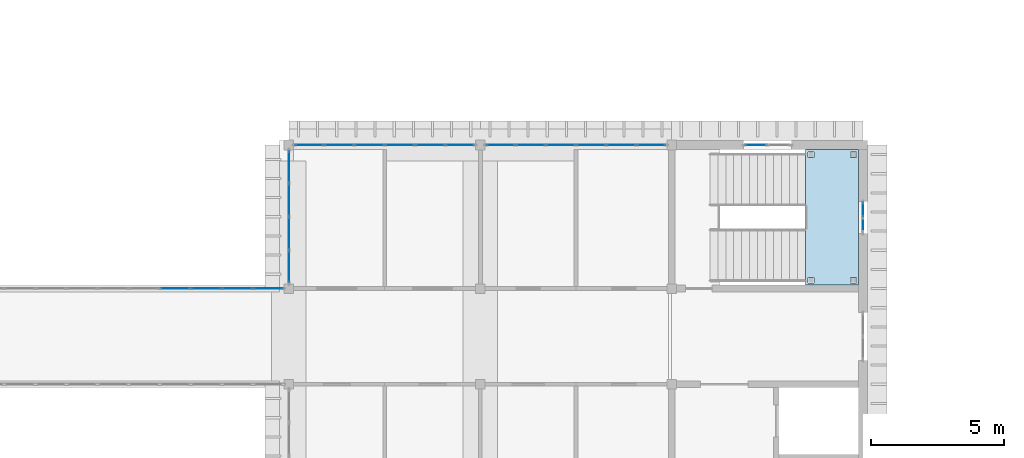
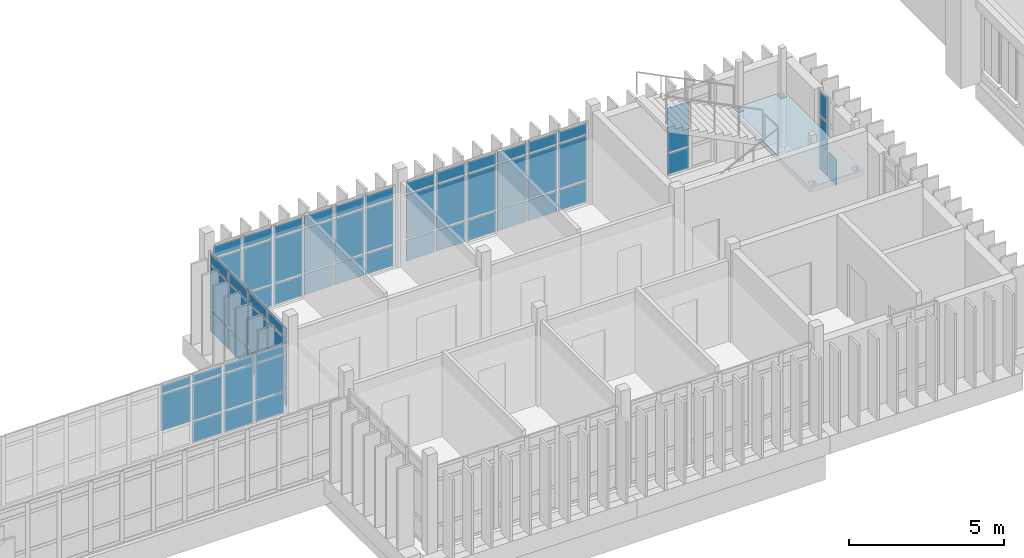
# One storey, part 34 of 69: 65 plates, 1 slab, 7 elements without a shape of their own.
"""IFC4 building model written with IfcOpenShell, lengths in metres."""

from ifc_helpers import new_model, si_unit, direction, frame, origin, origin_2d, place, context, subcontext, project, spatial, polyline, rectangle, outline, extrude, material, layer, layer_set, type_object, element, aggregate, save


model = new_model("IFC4")

# Units and contexts
model_context = context("Model", 3, precision=1e-05, world=origin(), true_north=direction((0.0, 1.0)))
body_context = subcontext(model_context, "Body", "Model", "MODEL_VIEW")
ifc_project = project(units=[si_unit("LENGTHUNIT", "METRE"), si_unit("AREAUNIT", "SQUARE_METRE"), si_unit("VOLUMEUNIT", "CUBIC_METRE"), si_unit("PLANEANGLEUNIT", "RADIAN"), si_unit("MASSUNIT", "GRAM", prefix="KILO")], contexts=[model_context])

# Site, building, storey
site_placement = place(None, origin())
site = spatial("IfcSite", under=ifc_project, at=site_placement, CompositionType="ELEMENT")
building_placement = place(site_placement, origin())
building = spatial("IfcBuilding", under=site, at=building_placement, Name="Mazhai Court Health Centre", CompositionType="ELEMENT")
storey_placement = place(building_placement, frame((0.0, 0.0, 6.300048828125)))
storey = spatial("IfcBuildingStorey", under=building, at=storey_placement, Name="L01", CompositionType="ELEMENT", Elevation=6.300048828125)

# Curtain wall, plates
ifc_material_1 = material(Name="Teak timber frame, glazed", Category="wood")
ifc_layer_1 = layer(ifc_material_1, 0.10009765625)
ifc_layer_set_1 = layer_set([ifc_layer_1], Name="CURTAIN WALL TIMBER 900")
curtain_wall_type_1 = type_object("IfcCurtainWallType", Name="CURTAIN WALL TIMBER 900", PredefinedType="NOTDEFINED", material=ifc_layer_set_1)
curtain_wall_1_placement = place(storey_placement, origin())
curtain_wall_1 = element("IfcCurtainWall", 1, at=curtain_wall_1_placement, inside=storey, type_object=curtain_wall_type_1, Name="CW-V4-L01-B7", PredefinedType="NOTDEFINED")
ifc_material_2 = material(Name="Glass IGU 28 mm", Category="glass")
ifc_layer_2 = layer(ifc_material_2, 0.028076171875)
ifc_layer_set_2 = layer_set([ifc_layer_2], Name="CW PANEL IGU 28")
plate_type = type_object("IfcPlateType", Name="CW PANEL IGU 28", PredefinedType="CURTAIN_PANEL", material=ifc_layer_set_2)
plate_1_placement = place(storey_placement, frame((124.56494140625, 27.800048828125, 0.059814453125), z_axis=(0.0, 0.0, 1.0), x_axis=(1.0, 0.0, 0.0)))
plate_1 = element("IfcPlate", 2, at=plate_1_placement, type_object=plate_type, Name="CW panel 1.1", PredefinedType="CURTAIN_PANEL", context=body_context, shape_type="SweptSolid", body=[
    extrude(rectangle(XDim=0.81005859375, YDim=0.028076171875, at=origin_2d()), origin(), (0.0, 0.0, 1.0), 0.81005859375),
])
plate_2_placement = place(storey_placement, frame((124.56494140625, 27.800048828125, 0.93017578125), z_axis=(0.0, 0.0, 1.0), x_axis=(1.0, 0.0, 0.0)))
plate_2 = element("IfcPlate", 3, at=plate_2_placement, type_object=plate_type, Name="CW panel 1.2", PredefinedType="CURTAIN_PANEL", context=body_context, shape_type="SweptSolid", body=[
    extrude(rectangle(XDim=0.81005859375, YDim=0.028076171875, at=origin_2d()), origin(), (0.0, 0.0, 1.0), 1.739990234375),
])
aggregate(curtain_wall_1, [plate_1, plate_2])

ifc_material_3 = material(Name="Teak timber frame, glazed", Category="wood")
ifc_layer_3 = layer(ifc_material_3, 0.10009765625)
ifc_layer_set_3 = layer_set([ifc_layer_3], Name="CURTAIN WALL TIMBER 600")
curtain_wall_type_2 = type_object("IfcCurtainWallType", Name="CURTAIN WALL TIMBER 600", PredefinedType="NOTDEFINED", material=ifc_layer_set_3)
curtain_wall_2_placement = place(storey_placement, origin())
curtain_wall_2 = element("IfcCurtainWall", 4, at=curtain_wall_2_placement, inside=storey, type_object=curtain_wall_type_2, Name="CW-V4-L01-ESTAIR1", PredefinedType="NOTDEFINED")
plate_3_placement = place(storey_placement, frame((128.60009765625, 25.364990234375, 0.06005859375), z_axis=(0.0, 0.0, 1.0), x_axis=(0.0, -1.0, 0.0)))
plate_3 = element("IfcPlate", 5, at=plate_3_placement, type_object=plate_type, Name="CW panel 1.1", PredefinedType="CURTAIN_PANEL", context=body_context, shape_type="SweptSolid", body=[
    extrude(rectangle(XDim=0.510009765625, YDim=0.028076171875, at=origin_2d()), origin(), (0.0, 0.0, 1.0), 1.010009765625),
])
plate_4_placement = place(storey_placement, frame((128.60009765625, 25.364990234375, 1.1298828125), z_axis=(0.0, 0.0, 1.0), x_axis=(0.0, -1.0, 0.0)))
plate_4 = element("IfcPlate", 6, at=plate_4_placement, type_object=plate_type, Name="CW panel 1.2", PredefinedType="CURTAIN_PANEL", context=body_context, shape_type="SweptSolid", body=[
    extrude(rectangle(XDim=0.510009765625, YDim=0.028076171875, at=origin_2d()), origin(), (0.0, 0.0, 1.0), 1.0400390625),
])
plate_5_placement = place(storey_placement, frame((128.60009765625, 25.364990234375, 2.22998046875), z_axis=(0.0, 0.0, 1.0), x_axis=(0.0, -1.0, 0.0)))
plate_5 = element("IfcPlate", 7, at=plate_5_placement, type_object=plate_type, Name="CW panel 1.3", PredefinedType="CURTAIN_PANEL", context=body_context, shape_type="SweptSolid", body=[
    extrude(rectangle(XDim=0.510009765625, YDim=0.028076171875, at=origin_2d()), origin(), (0.0, 0.0, 1.0), 0.909912109375),
])
plate_6_placement = place(storey_placement, frame((128.60009765625, 24.794921875, 0.06005859375), z_axis=(0.0, 0.0, 1.0), x_axis=(0.0, -1.0, 0.0)))
plate_6 = element("IfcPlate", 8, at=plate_6_placement, type_object=plate_type, Name="CW panel 2.1", PredefinedType="CURTAIN_PANEL", context=body_context, shape_type="SweptSolid", body=[
    extrude(rectangle(XDim=0.510009765625, YDim=0.028076171875, at=origin_2d()), origin(), (0.0, 0.0, 1.0), 1.010009765625),
])
aggregate(curtain_wall_2, [plate_3, plate_4, plate_5, plate_6])

ifc_material_4 = material(Name="Teak timber frame, glazed", Category="wood")
ifc_layer_4 = layer(ifc_material_4, 0.10009765625)
ifc_layer_set_4 = layer_set([ifc_layer_4], Name="CURTAIN WALL TIMBER 1200")
curtain_wall_type_3 = type_object("IfcCurtainWallType", Name="CURTAIN WALL TIMBER 1200", PredefinedType="NOTDEFINED", material=ifc_layer_set_4)
curtain_wall_3_placement = place(storey_placement, origin())
curtain_wall_3 = element("IfcCurtainWall", 9, at=curtain_wall_3_placement, inside=storey, type_object=curtain_wall_type_3, Name="CW-V4-L01-B5", PredefinedType="NOTDEFINED")
plate_7_placement = place(storey_placement, frame((107.764892578125, 27.800048828125, 0.059814453125), z_axis=(0.0, 0.0, 1.0), x_axis=(1.0, 0.0, 0.0)))
plate_7 = element("IfcPlate", 10, at=plate_7_placement, type_object=plate_type, Name="CW panel 1.1", PredefinedType="CURTAIN_PANEL", context=body_context, shape_type="SweptSolid", body=[
    extrude(rectangle(XDim=1.050048828125, YDim=0.028076171875, at=origin_2d()), origin(), (0.0, 0.0, 1.0), 0.81005859375),
])
plate_8_placement = place(storey_placement, frame((107.764892578125, 27.800048828125, 0.93017578125), z_axis=(0.0, 0.0, 1.0), x_axis=(1.0, 0.0, 0.0)))
plate_8 = element("IfcPlate", 11, at=plate_8_placement, type_object=plate_type, Name="CW panel 1.2", PredefinedType="CURTAIN_PANEL", context=body_context, shape_type="SweptSolid", body=[
    extrude(rectangle(XDim=1.050048828125, YDim=0.028076171875, at=origin_2d()), origin(), (0.0, 0.0, 1.0), 1.739990234375),
])
plate_9_placement = place(storey_placement, frame((107.764892578125, 27.800048828125, 2.72998046875), z_axis=(0.0, 0.0, 1.0), x_axis=(1.0, 0.0, 0.0)))
plate_9 = element("IfcPlate", 12, at=plate_9_placement, type_object=plate_type, Name="CW panel 1.3", PredefinedType="CURTAIN_PANEL", context=body_context, shape_type="SweptSolid", body=[
    extrude(rectangle(XDim=1.050048828125, YDim=0.028076171875, at=origin_2d()), origin(), (0.0, 0.0, 1.0), 0.429931640625),
])
plate_10_placement = place(storey_placement, frame((108.889892578125, 27.800048828125, 0.059814453125), z_axis=(0.0, 0.0, 1.0), x_axis=(1.0, 0.0, 0.0)))
plate_10 = element("IfcPlate", 13, at=plate_10_placement, type_object=plate_type, Name="CW panel 2.1", PredefinedType="CURTAIN_PANEL", context=body_context, shape_type="SweptSolid", body=[
    extrude(rectangle(XDim=1.080078125, YDim=0.028076171875, at=origin_2d()), origin(), (0.0, 0.0, 1.0), 0.81005859375),
])
plate_11_placement = place(storey_placement, frame((108.889892578125, 27.800048828125, 0.93017578125), z_axis=(0.0, 0.0, 1.0), x_axis=(1.0, 0.0, 0.0)))
plate_11 = element("IfcPlate", 14, at=plate_11_placement, type_object=plate_type, Name="CW panel 2.2", PredefinedType="CURTAIN_PANEL", context=body_context, shape_type="SweptSolid", body=[
    extrude(rectangle(XDim=1.080078125, YDim=0.028076171875, at=origin_2d()), origin(), (0.0, 0.0, 1.0), 1.739990234375),
])
plate_12_placement = place(storey_placement, frame((108.889892578125, 27.800048828125, 2.72998046875), z_axis=(0.0, 0.0, 1.0), x_axis=(1.0, 0.0, 0.0)))
plate_12 = element("IfcPlate", 15, at=plate_12_placement, type_object=plate_type, Name="CW panel 2.3", PredefinedType="CURTAIN_PANEL", context=body_context, shape_type="SweptSolid", body=[
    extrude(rectangle(XDim=1.080078125, YDim=0.028076171875, at=origin_2d()), origin(), (0.0, 0.0, 1.0), 0.429931640625),
])
plate_13_placement = place(storey_placement, frame((110.030029296875, 27.800048828125, 0.059814453125), z_axis=(0.0, 0.0, 1.0), x_axis=(1.0, 0.0, 0.0)))
plate_13 = element("IfcPlate", 16, at=plate_13_placement, type_object=plate_type, Name="CW panel 3.1", PredefinedType="CURTAIN_PANEL", context=body_context, shape_type="SweptSolid", body=[
    extrude(rectangle(XDim=1.080078125, YDim=0.028076171875, at=origin_2d()), origin(), (0.0, 0.0, 1.0), 0.81005859375),
])
plate_14_placement = place(storey_placement, frame((110.030029296875, 27.800048828125, 0.93017578125), z_axis=(0.0, 0.0, 1.0), x_axis=(1.0, 0.0, 0.0)))
plate_14 = element("IfcPlate", 17, at=plate_14_placement, type_object=plate_type, Name="CW panel 3.2", PredefinedType="CURTAIN_PANEL", context=body_context, shape_type="SweptSolid", body=[
    extrude(rectangle(XDim=1.080078125, YDim=0.028076171875, at=origin_2d()), origin(), (0.0, 0.0, 1.0), 1.739990234375),
])
plate_15_placement = place(storey_placement, frame((110.030029296875, 27.800048828125, 2.72998046875), z_axis=(0.0, 0.0, 1.0), x_axis=(1.0, 0.0, 0.0)))
plate_15 = element("IfcPlate", 18, at=plate_15_placement, type_object=plate_type, Name="CW panel 3.3", PredefinedType="CURTAIN_PANEL", context=body_context, shape_type="SweptSolid", body=[
    extrude(rectangle(XDim=1.080078125, YDim=0.028076171875, at=origin_2d()), origin(), (0.0, 0.0, 1.0), 0.429931640625),
])
plate_16_placement = place(storey_placement, frame((111.169921875, 27.800048828125, 0.059814453125), z_axis=(0.0, 0.0, 1.0), x_axis=(1.0, 0.0, 0.0)))
plate_16 = element("IfcPlate", 19, at=plate_16_placement, type_object=plate_type, Name="CW panel 4.1", PredefinedType="CURTAIN_PANEL", context=body_context, shape_type="SweptSolid", body=[
    extrude(rectangle(XDim=1.080078125, YDim=0.028076171875, at=origin_2d()), origin(), (0.0, 0.0, 1.0), 0.81005859375),
])
plate_17_placement = place(storey_placement, frame((111.169921875, 27.800048828125, 0.93017578125), z_axis=(0.0, 0.0, 1.0), x_axis=(1.0, 0.0, 0.0)))
plate_17 = element("IfcPlate", 20, at=plate_17_placement, type_object=plate_type, Name="CW panel 4.2", PredefinedType="CURTAIN_PANEL", context=body_context, shape_type="SweptSolid", body=[
    extrude(rectangle(XDim=1.080078125, YDim=0.028076171875, at=origin_2d()), origin(), (0.0, 0.0, 1.0), 1.739990234375),
])
plate_18_placement = place(storey_placement, frame((111.169921875, 27.800048828125, 2.72998046875), z_axis=(0.0, 0.0, 1.0), x_axis=(1.0, 0.0, 0.0)))
plate_18 = element("IfcPlate", 21, at=plate_18_placement, type_object=plate_type, Name="CW panel 4.3", PredefinedType="CURTAIN_PANEL", context=body_context, shape_type="SweptSolid", body=[
    extrude(rectangle(XDim=1.080078125, YDim=0.028076171875, at=origin_2d()), origin(), (0.0, 0.0, 1.0), 0.429931640625),
])
plate_19_placement = place(storey_placement, frame((112.31005859375, 27.800048828125, 0.059814453125), z_axis=(0.0, 0.0, 1.0), x_axis=(1.0, 0.0, 0.0)))
plate_19 = element("IfcPlate", 22, at=plate_19_placement, type_object=plate_type, Name="CW panel 5.1", PredefinedType="CURTAIN_PANEL", context=body_context, shape_type="SweptSolid", body=[
    extrude(rectangle(XDim=1.080078125, YDim=0.028076171875, at=origin_2d()), origin(), (0.0, 0.0, 1.0), 0.81005859375),
])
plate_20_placement = place(storey_placement, frame((112.31005859375, 27.800048828125, 0.93017578125), z_axis=(0.0, 0.0, 1.0), x_axis=(1.0, 0.0, 0.0)))
plate_20 = element("IfcPlate", 23, at=plate_20_placement, type_object=plate_type, Name="CW panel 5.2", PredefinedType="CURTAIN_PANEL", context=body_context, shape_type="SweptSolid", body=[
    extrude(rectangle(XDim=1.080078125, YDim=0.028076171875, at=origin_2d()), origin(), (0.0, 0.0, 1.0), 1.739990234375),
])
plate_21_placement = place(storey_placement, frame((112.31005859375, 27.800048828125, 2.72998046875), z_axis=(0.0, 0.0, 1.0), x_axis=(1.0, 0.0, 0.0)))
plate_21 = element("IfcPlate", 24, at=plate_21_placement, type_object=plate_type, Name="CW panel 5.3", PredefinedType="CURTAIN_PANEL", context=body_context, shape_type="SweptSolid", body=[
    extrude(rectangle(XDim=1.080078125, YDim=0.028076171875, at=origin_2d()), origin(), (0.0, 0.0, 1.0), 0.429931640625),
])
plate_22_placement = place(storey_placement, frame((113.43505859375, 27.800048828125, 0.059814453125), z_axis=(0.0, 0.0, 1.0), x_axis=(1.0, 0.0, 0.0)))
plate_22 = element("IfcPlate", 25, at=plate_22_placement, type_object=plate_type, Name="CW panel 6.1", PredefinedType="CURTAIN_PANEL", context=body_context, shape_type="SweptSolid", body=[
    extrude(rectangle(XDim=1.050048828125, YDim=0.028076171875, at=origin_2d()), origin(), (0.0, 0.0, 1.0), 0.81005859375),
])
plate_23_placement = place(storey_placement, frame((113.43505859375, 27.800048828125, 0.93017578125), z_axis=(0.0, 0.0, 1.0), x_axis=(1.0, 0.0, 0.0)))
plate_23 = element("IfcPlate", 26, at=plate_23_placement, type_object=plate_type, Name="CW panel 6.2", PredefinedType="CURTAIN_PANEL", context=body_context, shape_type="SweptSolid", body=[
    extrude(rectangle(XDim=1.050048828125, YDim=0.028076171875, at=origin_2d()), origin(), (0.0, 0.0, 1.0), 1.739990234375),
])
plate_24_placement = place(storey_placement, frame((113.43505859375, 27.800048828125, 2.72998046875), z_axis=(0.0, 0.0, 1.0), x_axis=(1.0, 0.0, 0.0)))
plate_24 = element("IfcPlate", 27, at=plate_24_placement, type_object=plate_type, Name="CW panel 6.3", PredefinedType="CURTAIN_PANEL", context=body_context, shape_type="SweptSolid", body=[
    extrude(rectangle(XDim=1.050048828125, YDim=0.028076171875, at=origin_2d()), origin(), (0.0, 0.0, 1.0), 0.429931640625),
])
aggregate(curtain_wall_3, [plate_7, plate_8, plate_9, plate_10, plate_11, plate_12, plate_13, plate_14, plate_15, plate_16, plate_17, plate_18, plate_19, plate_20, plate_21, plate_22, plate_23, plate_24])

curtain_wall_4_placement = place(storey_placement, origin())
curtain_wall_4 = element("IfcCurtainWall", 28, at=curtain_wall_4_placement, inside=storey, type_object=curtain_wall_type_3, Name="CW-V4-L01-B6", PredefinedType="NOTDEFINED")
plate_25_placement = place(storey_placement, frame((114.965087890625, 27.800048828125, 0.059814453125), z_axis=(0.0, 0.0, 1.0), x_axis=(1.0, 0.0, 0.0)))
plate_25 = element("IfcPlate", 29, at=plate_25_placement, type_object=plate_type, Name="CW panel 1.1", PredefinedType="CURTAIN_PANEL", context=body_context, shape_type="SweptSolid", body=[
    extrude(rectangle(XDim=1.050048828125, YDim=0.028076171875, at=origin_2d()), origin(), (0.0, 0.0, 1.0), 0.81005859375),
])
plate_26_placement = place(storey_placement, frame((114.965087890625, 27.800048828125, 0.93017578125), z_axis=(0.0, 0.0, 1.0), x_axis=(1.0, 0.0, 0.0)))
plate_26 = element("IfcPlate", 30, at=plate_26_placement, type_object=plate_type, Name="CW panel 1.2", PredefinedType="CURTAIN_PANEL", context=body_context, shape_type="SweptSolid", body=[
    extrude(rectangle(XDim=1.050048828125, YDim=0.028076171875, at=origin_2d()), origin(), (0.0, 0.0, 1.0), 1.739990234375),
])
plate_27_placement = place(storey_placement, frame((114.965087890625, 27.800048828125, 2.72998046875), z_axis=(0.0, 0.0, 1.0), x_axis=(1.0, 0.0, 0.0)))
plate_27 = element("IfcPlate", 31, at=plate_27_placement, type_object=plate_type, Name="CW panel 1.3", PredefinedType="CURTAIN_PANEL", context=body_context, shape_type="SweptSolid", body=[
    extrude(rectangle(XDim=1.050048828125, YDim=0.028076171875, at=origin_2d()), origin(), (0.0, 0.0, 1.0), 0.429931640625),
])
plate_28_placement = place(storey_placement, frame((116.090087890625, 27.800048828125, 0.059814453125), z_axis=(0.0, 0.0, 1.0), x_axis=(1.0, 0.0, 0.0)))
plate_28 = element("IfcPlate", 32, at=plate_28_placement, type_object=plate_type, Name="CW panel 2.1", PredefinedType="CURTAIN_PANEL", context=body_context, shape_type="SweptSolid", body=[
    extrude(rectangle(XDim=1.080078125, YDim=0.028076171875, at=origin_2d()), origin(), (0.0, 0.0, 1.0), 0.81005859375),
])
plate_29_placement = place(storey_placement, frame((116.090087890625, 27.800048828125, 0.93017578125), z_axis=(0.0, 0.0, 1.0), x_axis=(1.0, 0.0, 0.0)))
plate_29 = element("IfcPlate", 33, at=plate_29_placement, type_object=plate_type, Name="CW panel 2.2", PredefinedType="CURTAIN_PANEL", context=body_context, shape_type="SweptSolid", body=[
    extrude(rectangle(XDim=1.080078125, YDim=0.028076171875, at=origin_2d()), origin(), (0.0, 0.0, 1.0), 1.739990234375),
])
plate_30_placement = place(storey_placement, frame((116.090087890625, 27.800048828125, 2.72998046875), z_axis=(0.0, 0.0, 1.0), x_axis=(1.0, 0.0, 0.0)))
plate_30 = element("IfcPlate", 34, at=plate_30_placement, type_object=plate_type, Name="CW panel 2.3", PredefinedType="CURTAIN_PANEL", context=body_context, shape_type="SweptSolid", body=[
    extrude(rectangle(XDim=1.080078125, YDim=0.028076171875, at=origin_2d()), origin(), (0.0, 0.0, 1.0), 0.429931640625),
])
plate_31_placement = place(storey_placement, frame((117.22998046875, 27.800048828125, 0.059814453125), z_axis=(0.0, 0.0, 1.0), x_axis=(1.0, 0.0, 0.0)))
plate_31 = element("IfcPlate", 35, at=plate_31_placement, type_object=plate_type, Name="CW panel 3.1", PredefinedType="CURTAIN_PANEL", context=body_context, shape_type="SweptSolid", body=[
    extrude(rectangle(XDim=1.080078125, YDim=0.028076171875, at=origin_2d()), origin(), (0.0, 0.0, 1.0), 0.81005859375),
])
plate_32_placement = place(storey_placement, frame((117.22998046875, 27.800048828125, 0.93017578125), z_axis=(0.0, 0.0, 1.0), x_axis=(1.0, 0.0, 0.0)))
plate_32 = element("IfcPlate", 36, at=plate_32_placement, type_object=plate_type, Name="CW panel 3.2", PredefinedType="CURTAIN_PANEL", context=body_context, shape_type="SweptSolid", body=[
    extrude(rectangle(XDim=1.080078125, YDim=0.028076171875, at=origin_2d()), origin(), (0.0, 0.0, 1.0), 1.739990234375),
])
plate_33_placement = place(storey_placement, frame((117.22998046875, 27.800048828125, 2.72998046875), z_axis=(0.0, 0.0, 1.0), x_axis=(1.0, 0.0, 0.0)))
plate_33 = element("IfcPlate", 37, at=plate_33_placement, type_object=plate_type, Name="CW panel 3.3", PredefinedType="CURTAIN_PANEL", context=body_context, shape_type="SweptSolid", body=[
    extrude(rectangle(XDim=1.080078125, YDim=0.028076171875, at=origin_2d()), origin(), (0.0, 0.0, 1.0), 0.429931640625),
])
plate_34_placement = place(storey_placement, frame((118.3701171875, 27.800048828125, 0.059814453125), z_axis=(0.0, 0.0, 1.0), x_axis=(1.0, 0.0, 0.0)))
plate_34 = element("IfcPlate", 38, at=plate_34_placement, type_object=plate_type, Name="CW panel 4.1", PredefinedType="CURTAIN_PANEL", context=body_context, shape_type="SweptSolid", body=[
    extrude(rectangle(XDim=1.080078125, YDim=0.028076171875, at=origin_2d()), origin(), (0.0, 0.0, 1.0), 0.81005859375),
])
plate_35_placement = place(storey_placement, frame((118.3701171875, 27.800048828125, 0.93017578125), z_axis=(0.0, 0.0, 1.0), x_axis=(1.0, 0.0, 0.0)))
plate_35 = element("IfcPlate", 39, at=plate_35_placement, type_object=plate_type, Name="CW panel 4.2", PredefinedType="CURTAIN_PANEL", context=body_context, shape_type="SweptSolid", body=[
    extrude(rectangle(XDim=1.080078125, YDim=0.028076171875, at=origin_2d()), origin(), (0.0, 0.0, 1.0), 1.739990234375),
])
plate_36_placement = place(storey_placement, frame((118.3701171875, 27.800048828125, 2.72998046875), z_axis=(0.0, 0.0, 1.0), x_axis=(1.0, 0.0, 0.0)))
plate_36 = element("IfcPlate", 40, at=plate_36_placement, type_object=plate_type, Name="CW panel 4.3", PredefinedType="CURTAIN_PANEL", context=body_context, shape_type="SweptSolid", body=[
    extrude(rectangle(XDim=1.080078125, YDim=0.028076171875, at=origin_2d()), origin(), (0.0, 0.0, 1.0), 0.429931640625),
])
plate_37_placement = place(storey_placement, frame((119.510009765625, 27.800048828125, 0.059814453125), z_axis=(0.0, 0.0, 1.0), x_axis=(1.0, 0.0, 0.0)))
plate_37 = element("IfcPlate", 41, at=plate_37_placement, type_object=plate_type, Name="CW panel 5.1", PredefinedType="CURTAIN_PANEL", context=body_context, shape_type="SweptSolid", body=[
    extrude(rectangle(XDim=1.080078125, YDim=0.028076171875, at=origin_2d()), origin(), (0.0, 0.0, 1.0), 0.81005859375),
])
plate_38_placement = place(storey_placement, frame((119.510009765625, 27.800048828125, 0.93017578125), z_axis=(0.0, 0.0, 1.0), x_axis=(1.0, 0.0, 0.0)))
plate_38 = element("IfcPlate", 42, at=plate_38_placement, type_object=plate_type, Name="CW panel 5.2", PredefinedType="CURTAIN_PANEL", context=body_context, shape_type="SweptSolid", body=[
    extrude(rectangle(XDim=1.080078125, YDim=0.028076171875, at=origin_2d()), origin(), (0.0, 0.0, 1.0), 1.739990234375),
])
plate_39_placement = place(storey_placement, frame((119.510009765625, 27.800048828125, 2.72998046875), z_axis=(0.0, 0.0, 1.0), x_axis=(1.0, 0.0, 0.0)))
plate_39 = element("IfcPlate", 43, at=plate_39_placement, type_object=plate_type, Name="CW panel 5.3", PredefinedType="CURTAIN_PANEL", context=body_context, shape_type="SweptSolid", body=[
    extrude(rectangle(XDim=1.080078125, YDim=0.028076171875, at=origin_2d()), origin(), (0.0, 0.0, 1.0), 0.429931640625),
])
plate_40_placement = place(storey_placement, frame((120.635009765625, 27.800048828125, 0.059814453125), z_axis=(0.0, 0.0, 1.0), x_axis=(1.0, 0.0, 0.0)))
plate_40 = element("IfcPlate", 44, at=plate_40_placement, type_object=plate_type, Name="CW panel 6.1", PredefinedType="CURTAIN_PANEL", context=body_context, shape_type="SweptSolid", body=[
    extrude(rectangle(XDim=1.050048828125, YDim=0.028076171875, at=origin_2d()), origin(), (0.0, 0.0, 1.0), 0.81005859375),
])
plate_41_placement = place(storey_placement, frame((120.635009765625, 27.800048828125, 0.93017578125), z_axis=(0.0, 0.0, 1.0), x_axis=(1.0, 0.0, 0.0)))
plate_41 = element("IfcPlate", 45, at=plate_41_placement, type_object=plate_type, Name="CW panel 6.2", PredefinedType="CURTAIN_PANEL", context=body_context, shape_type="SweptSolid", body=[
    extrude(rectangle(XDim=1.050048828125, YDim=0.028076171875, at=origin_2d()), origin(), (0.0, 0.0, 1.0), 1.739990234375),
])
plate_42_placement = place(storey_placement, frame((120.635009765625, 27.800048828125, 2.72998046875), z_axis=(0.0, 0.0, 1.0), x_axis=(1.0, 0.0, 0.0)))
plate_42 = element("IfcPlate", 46, at=plate_42_placement, type_object=plate_type, Name="CW panel 6.3", PredefinedType="CURTAIN_PANEL", context=body_context, shape_type="SweptSolid", body=[
    extrude(rectangle(XDim=1.050048828125, YDim=0.028076171875, at=origin_2d()), origin(), (0.0, 0.0, 1.0), 0.429931640625),
])
aggregate(curtain_wall_4, [plate_25, plate_26, plate_27, plate_28, plate_29, plate_30, plate_31, plate_32, plate_33, plate_34, plate_35, plate_36, plate_37, plate_38, plate_39, plate_40, plate_41, plate_42])

curtain_wall_5_placement = place(storey_placement, origin())
curtain_wall_5 = element("IfcCurtainWall", 47, at=curtain_wall_5_placement, inside=storey, type_object=curtain_wall_type_3, Name="CW-V4-L01-CW5-1", PredefinedType="NOTDEFINED")
plate_43_placement = place(storey_placement, frame((107.0, 23.22509765625, 0.059814453125), z_axis=(0.0, 0.0, 1.0), x_axis=(0.0, 1.0, 0.0)))
plate_43 = element("IfcPlate", 48, at=plate_43_placement, type_object=plate_type, Name="CW panel 1.1", PredefinedType="CURTAIN_PANEL", context=body_context, shape_type="SweptSolid", body=[
    extrude(rectangle(XDim=1.169921875, YDim=0.028076171875, at=origin_2d()), origin(), (0.0, 0.0, 1.0), 0.81005859375),
])
plate_44_placement = place(storey_placement, frame((107.0, 23.22509765625, 0.93017578125), z_axis=(0.0, 0.0, 1.0), x_axis=(0.0, 1.0, 0.0)))
plate_44 = element("IfcPlate", 49, at=plate_44_placement, type_object=plate_type, Name="CW panel 1.2", PredefinedType="CURTAIN_PANEL", context=body_context, shape_type="SweptSolid", body=[
    extrude(rectangle(XDim=1.169921875, YDim=0.028076171875, at=origin_2d()), origin(), (0.0, 0.0, 1.0), 1.739990234375),
])
plate_45_placement = place(storey_placement, frame((107.0, 23.22509765625, 2.72998046875), z_axis=(0.0, 0.0, 1.0), x_axis=(0.0, 1.0, 0.0)))
plate_45 = element("IfcPlate", 50, at=plate_45_placement, type_object=plate_type, Name="CW panel 1.3", PredefinedType="CURTAIN_PANEL", context=body_context, shape_type="SweptSolid", body=[
    extrude(rectangle(XDim=1.169921875, YDim=0.028076171875, at=origin_2d()), origin(), (0.0, 0.0, 1.0), 0.409912109375),
])
plate_46_placement = place(storey_placement, frame((107.0, 24.469970703125, 0.059814453125), z_axis=(0.0, 0.0, 1.0), x_axis=(0.0, 1.0, 0.0)))
plate_46 = element("IfcPlate", 51, at=plate_46_placement, type_object=plate_type, Name="CW panel 2.1", PredefinedType="CURTAIN_PANEL", context=body_context, shape_type="SweptSolid", body=[
    extrude(rectangle(XDim=1.199951171875, YDim=0.028076171875, at=origin_2d()), origin(), (0.0, 0.0, 1.0), 0.81005859375),
])
plate_47_placement = place(storey_placement, frame((107.0, 24.469970703125, 0.93017578125), z_axis=(0.0, 0.0, 1.0), x_axis=(0.0, 1.0, 0.0)))
plate_47 = element("IfcPlate", 52, at=plate_47_placement, type_object=plate_type, Name="CW panel 2.2", PredefinedType="CURTAIN_PANEL", context=body_context, shape_type="SweptSolid", body=[
    extrude(rectangle(XDim=1.199951171875, YDim=0.028076171875, at=origin_2d()), origin(), (0.0, 0.0, 1.0), 1.739990234375),
])
plate_48_placement = place(storey_placement, frame((107.0, 24.469970703125, 2.72998046875), z_axis=(0.0, 0.0, 1.0), x_axis=(0.0, 1.0, 0.0)))
plate_48 = element("IfcPlate", 53, at=plate_48_placement, type_object=plate_type, Name="CW panel 2.3", PredefinedType="CURTAIN_PANEL", context=body_context, shape_type="SweptSolid", body=[
    extrude(rectangle(XDim=1.199951171875, YDim=0.028076171875, at=origin_2d()), origin(), (0.0, 0.0, 1.0), 0.409912109375),
])
plate_49_placement = place(storey_placement, frame((107.0, 25.72998046875, 0.059814453125), z_axis=(0.0, 0.0, 1.0), x_axis=(0.0, 1.0, 0.0)))
plate_49 = element("IfcPlate", 54, at=plate_49_placement, type_object=plate_type, Name="CW panel 3.1", PredefinedType="CURTAIN_PANEL", context=body_context, shape_type="SweptSolid", body=[
    extrude(rectangle(XDim=1.199951171875, YDim=0.028076171875, at=origin_2d()), origin(), (0.0, 0.0, 1.0), 0.81005859375),
])
plate_50_placement = place(storey_placement, frame((107.0, 25.72998046875, 0.93017578125), z_axis=(0.0, 0.0, 1.0), x_axis=(0.0, 1.0, 0.0)))
plate_50 = element("IfcPlate", 55, at=plate_50_placement, type_object=plate_type, Name="CW panel 3.2", PredefinedType="CURTAIN_PANEL", context=body_context, shape_type="SweptSolid", body=[
    extrude(rectangle(XDim=1.199951171875, YDim=0.028076171875, at=origin_2d()), origin(), (0.0, 0.0, 1.0), 1.739990234375),
])
plate_51_placement = place(storey_placement, frame((107.0, 25.72998046875, 2.72998046875), z_axis=(0.0, 0.0, 1.0), x_axis=(0.0, 1.0, 0.0)))
plate_51 = element("IfcPlate", 56, at=plate_51_placement, type_object=plate_type, Name="CW panel 3.3", PredefinedType="CURTAIN_PANEL", context=body_context, shape_type="SweptSolid", body=[
    extrude(rectangle(XDim=1.199951171875, YDim=0.028076171875, at=origin_2d()), origin(), (0.0, 0.0, 1.0), 0.409912109375),
])
plate_52_placement = place(storey_placement, frame((107.0, 26.97509765625, 0.059814453125), z_axis=(0.0, 0.0, 1.0), x_axis=(0.0, 1.0, 0.0)))
plate_52 = element("IfcPlate", 57, at=plate_52_placement, type_object=plate_type, Name="CW panel 4.1", PredefinedType="CURTAIN_PANEL", context=body_context, shape_type="SweptSolid", body=[
    extrude(rectangle(XDim=1.169921875, YDim=0.028076171875, at=origin_2d()), origin(), (0.0, 0.0, 1.0), 0.81005859375),
])
plate_53_placement = place(storey_placement, frame((107.0, 26.97509765625, 0.93017578125), z_axis=(0.0, 0.0, 1.0), x_axis=(0.0, 1.0, 0.0)))
plate_53 = element("IfcPlate", 58, at=plate_53_placement, type_object=plate_type, Name="CW panel 4.2", PredefinedType="CURTAIN_PANEL", context=body_context, shape_type="SweptSolid", body=[
    extrude(rectangle(XDim=1.169921875, YDim=0.028076171875, at=origin_2d()), origin(), (0.0, 0.0, 1.0), 1.739990234375),
])
plate_54_placement = place(storey_placement, frame((107.0, 26.97509765625, 2.72998046875), z_axis=(0.0, 0.0, 1.0), x_axis=(0.0, 1.0, 0.0)))
plate_54 = element("IfcPlate", 59, at=plate_54_placement, type_object=plate_type, Name="CW panel 4.3", PredefinedType="CURTAIN_PANEL", context=body_context, shape_type="SweptSolid", body=[
    extrude(rectangle(XDim=1.169921875, YDim=0.028076171875, at=origin_2d()), origin(), (0.0, 0.0, 1.0), 0.409912109375),
])
aggregate(curtain_wall_5, [plate_43, plate_44, plate_45, plate_46, plate_47, plate_48, plate_49, plate_50, plate_51, plate_52, plate_53, plate_54])

curtain_wall_6_placement = place(storey_placement, origin())
curtain_wall_6 = element("IfcCurtainWall", 60, at=curtain_wall_6_placement, inside=storey, type_object=curtain_wall_type_3, Name="CW-BR-LC1-N", PredefinedType="NOTDEFINED")
plate_55_placement = place(storey_placement, frame((102.72509765625, 22.39990234375, 0.929931640625), z_axis=(0.0, 0.0, 1.0), x_axis=(1.0, 0.0, 0.0)))
plate_55 = element("IfcPlate", 61, at=plate_55_placement, type_object=plate_type, Name="CW panel 9.2", PredefinedType="CURTAIN_PANEL", context=body_context, shape_type="SweptSolid", body=[
    extrude(rectangle(XDim=1.110107421875, YDim=0.028076171875, at=origin_2d()), origin(), (0.0, 0.0, 1.0), 1.419921875),
])
plate_56_placement = place(storey_placement, frame((102.72509765625, 22.39990234375, 2.409912109375), z_axis=(0.0, 0.0, 1.0), x_axis=(1.0, 0.0, 0.0)))
plate_56 = element("IfcPlate", 62, at=plate_56_placement, type_object=plate_type, Name="CW panel 9.3", PredefinedType="CURTAIN_PANEL", context=body_context, shape_type="SweptSolid", body=[
    extrude(rectangle(XDim=1.110107421875, YDim=0.028076171875, at=origin_2d()), origin(), (0.0, 0.0, 1.0), 0.31005859375),
])
plate_57_placement = place(storey_placement, frame((103.89501953125, 22.39990234375, 0.059814453125), z_axis=(0.0, 0.0, 1.0), x_axis=(1.0, 0.0, 0.0)))
plate_57 = element("IfcPlate", 63, at=plate_57_placement, type_object=plate_type, Name="CW panel 10.1", PredefinedType="CURTAIN_PANEL", context=body_context, shape_type="SweptSolid", body=[
    extrude(rectangle(XDim=1.110107421875, YDim=0.028076171875, at=origin_2d()), origin(), (0.0, 0.0, 1.0), 0.81005859375),
])
plate_58_placement = place(storey_placement, frame((103.89501953125, 22.39990234375, 0.929931640625), z_axis=(0.0, 0.0, 1.0), x_axis=(1.0, 0.0, 0.0)))
plate_58 = element("IfcPlate", 64, at=plate_58_placement, type_object=plate_type, Name="CW panel 10.2", PredefinedType="CURTAIN_PANEL", context=body_context, shape_type="SweptSolid", body=[
    extrude(rectangle(XDim=1.110107421875, YDim=0.028076171875, at=origin_2d()), origin(), (0.0, 0.0, 1.0), 1.419921875),
])
plate_59_placement = place(storey_placement, frame((103.89501953125, 22.39990234375, 2.409912109375), z_axis=(0.0, 0.0, 1.0), x_axis=(1.0, 0.0, 0.0)))
plate_59 = element("IfcPlate", 65, at=plate_59_placement, type_object=plate_type, Name="CW panel 10.3", PredefinedType="CURTAIN_PANEL", context=body_context, shape_type="SweptSolid", body=[
    extrude(rectangle(XDim=1.110107421875, YDim=0.028076171875, at=origin_2d()), origin(), (0.0, 0.0, 1.0), 0.31005859375),
])
plate_60_placement = place(storey_placement, frame((105.06494140625, 22.39990234375, 0.059814453125), z_axis=(0.0, 0.0, 1.0), x_axis=(1.0, 0.0, 0.0)))
plate_60 = element("IfcPlate", 66, at=plate_60_placement, type_object=plate_type, Name="CW panel 11.1", PredefinedType="CURTAIN_PANEL", context=body_context, shape_type="SweptSolid", body=[
    extrude(rectangle(XDim=1.110107421875, YDim=0.028076171875, at=origin_2d()), origin(), (0.0, 0.0, 1.0), 0.81005859375),
])
plate_61_placement = place(storey_placement, frame((105.06494140625, 22.39990234375, 0.929931640625), z_axis=(0.0, 0.0, 1.0), x_axis=(1.0, 0.0, 0.0)))
plate_61 = element("IfcPlate", 67, at=plate_61_placement, type_object=plate_type, Name="CW panel 11.2", PredefinedType="CURTAIN_PANEL", context=body_context, shape_type="SweptSolid", body=[
    extrude(rectangle(XDim=1.110107421875, YDim=0.028076171875, at=origin_2d()), origin(), (0.0, 0.0, 1.0), 1.419921875),
])
plate_62_placement = place(storey_placement, frame((105.06494140625, 22.39990234375, 2.409912109375), z_axis=(0.0, 0.0, 1.0), x_axis=(1.0, 0.0, 0.0)))
plate_62 = element("IfcPlate", 68, at=plate_62_placement, type_object=plate_type, Name="CW panel 11.3", PredefinedType="CURTAIN_PANEL", context=body_context, shape_type="SweptSolid", body=[
    extrude(rectangle(XDim=1.110107421875, YDim=0.028076171875, at=origin_2d()), origin(), (0.0, 0.0, 1.0), 0.31005859375),
])
plate_63_placement = place(storey_placement, frame((106.219970703125, 22.39990234375, 0.059814453125), z_axis=(0.0, 0.0, 1.0), x_axis=(1.0, 0.0, 0.0)))
plate_63 = element("IfcPlate", 69, at=plate_63_placement, type_object=plate_type, Name="CW panel 12.1", PredefinedType="CURTAIN_PANEL", context=body_context, shape_type="SweptSolid", body=[
    extrude(rectangle(XDim=1.080078125, YDim=0.028076171875, at=origin_2d()), origin(), (0.0, 0.0, 1.0), 0.81005859375),
])
plate_64_placement = place(storey_placement, frame((106.219970703125, 22.39990234375, 0.929931640625), z_axis=(0.0, 0.0, 1.0), x_axis=(1.0, 0.0, 0.0)))
plate_64 = element("IfcPlate", 70, at=plate_64_placement, type_object=plate_type, Name="CW panel 12.2", PredefinedType="CURTAIN_PANEL", context=body_context, shape_type="SweptSolid", body=[
    extrude(rectangle(XDim=1.080078125, YDim=0.028076171875, at=origin_2d()), origin(), (0.0, 0.0, 1.0), 1.419921875),
])
plate_65_placement = place(storey_placement, frame((106.219970703125, 22.39990234375, 2.409912109375), z_axis=(0.0, 0.0, 1.0), x_axis=(1.0, 0.0, 0.0)))
plate_65 = element("IfcPlate", 71, at=plate_65_placement, type_object=plate_type, Name="CW panel 12.3", PredefinedType="CURTAIN_PANEL", context=body_context, shape_type="SweptSolid", body=[
    extrude(rectangle(XDim=1.080078125, YDim=0.028076171875, at=origin_2d()), origin(), (0.0, 0.0, 1.0), 0.31005859375),
])
aggregate(curtain_wall_6, [plate_55, plate_56, plate_57, plate_58, plate_59, plate_60, plate_61, plate_62, plate_63, plate_64, plate_65])

# Stair, slab
ifc_material_5 = material(Name="Concrete M40", Category="concrete")
stair_type = type_object("IfcStairType", Name="RC STAIR 2000 26R", PredefinedType="DOUBLE_RETURN_STAIR", material=ifc_material_5)
stair_placement = place(storey_placement, origin())
stair = element("IfcStair", 72, at=stair_placement, inside=storey, type_object=stair_type, Name="L01 Stair 7", PredefinedType="HALF_TURN_STAIR")
ifc_material_6 = material(Name="Concrete M40", Category="concrete")
ifc_layer_5 = layer(ifc_material_6, 0.199951171875)
ifc_layer_set_5 = layer_set([ifc_layer_5], Name="RC STAIR LANDING 200 M40")
slab_type = type_object("IfcSlabType", Name="RC STAIR LANDING 200 M40", PredefinedType="LANDING", material=ifc_layer_set_5)
slab_placement = place(storey_placement, frame((0.0, 0.0, 1.75)))
slab = element("IfcSlab", 73, at=slab_placement, type_object=slab_type, Name="ST7 landing 1", PredefinedType="LANDING", context=body_context, shape_type="SweptSolid", body=[
    extrude(outline(polyline([(126.43505859375, 22.52490234375), (128.43505859375, 22.52490234375), (128.43505859375, 27.635009765625), (126.43505859375, 27.635009765625), (126.43505859375, 22.52490234375)]), holes=[polyline([(128.135009765625, 22.614990234375), (128.344970703125, 22.614990234375), (128.344970703125, 22.824951171875), (128.135009765625, 22.824951171875), (128.135009765625, 22.614990234375)]), polyline([(128.135009765625, 27.3349609375), (128.344970703125, 27.3349609375), (128.344970703125, 27.544921875), (128.135009765625, 27.544921875), (128.135009765625, 27.3349609375)]), polyline([(126.534912109375, 22.614990234375), (126.7451171875, 22.614990234375), (126.7451171875, 22.824951171875), (126.534912109375, 22.824951171875), (126.534912109375, 22.614990234375)]), polyline([(126.534912109375, 27.3349609375), (126.7451171875, 27.3349609375), (126.7451171875, 27.544921875), (126.534912109375, 27.544921875), (126.534912109375, 27.3349609375)])]), origin(), (0.0, 0.0, 1.0), 0.199951171875),
])
aggregate(stair, [slab])

save(model, "model.ifc")
